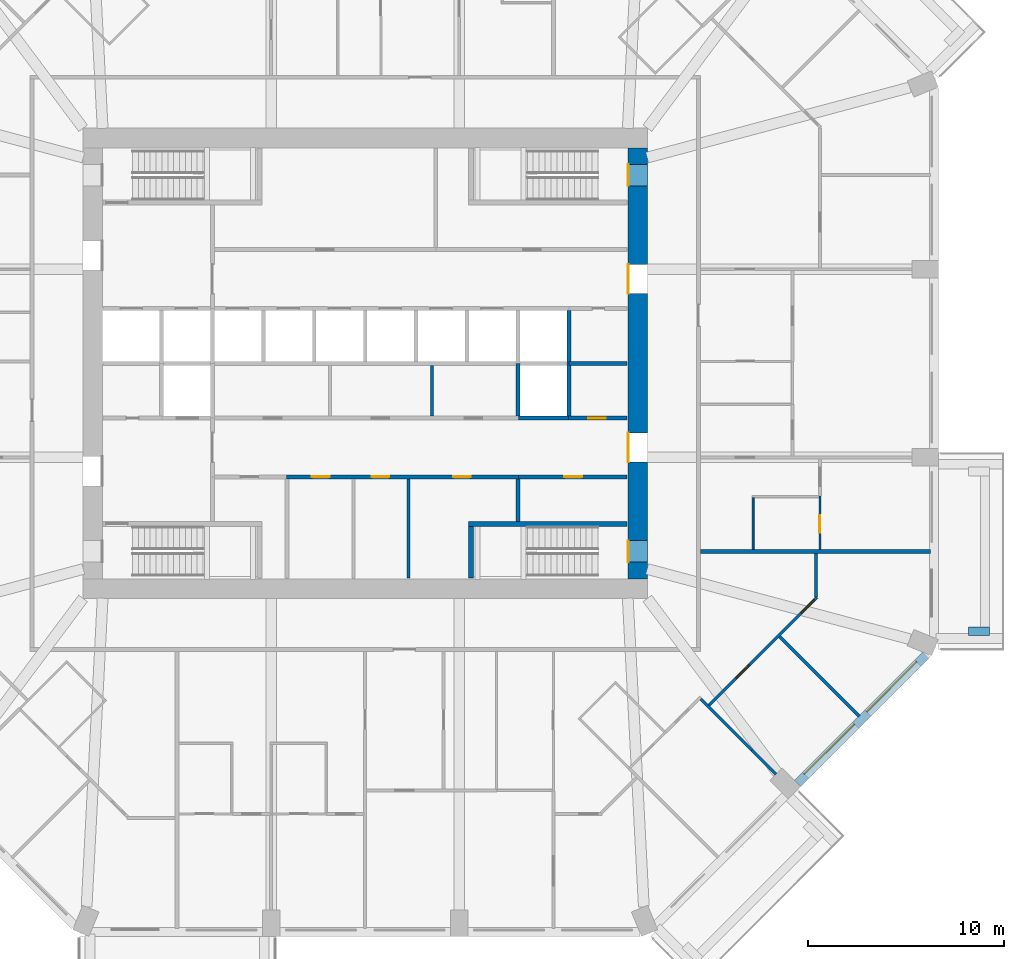
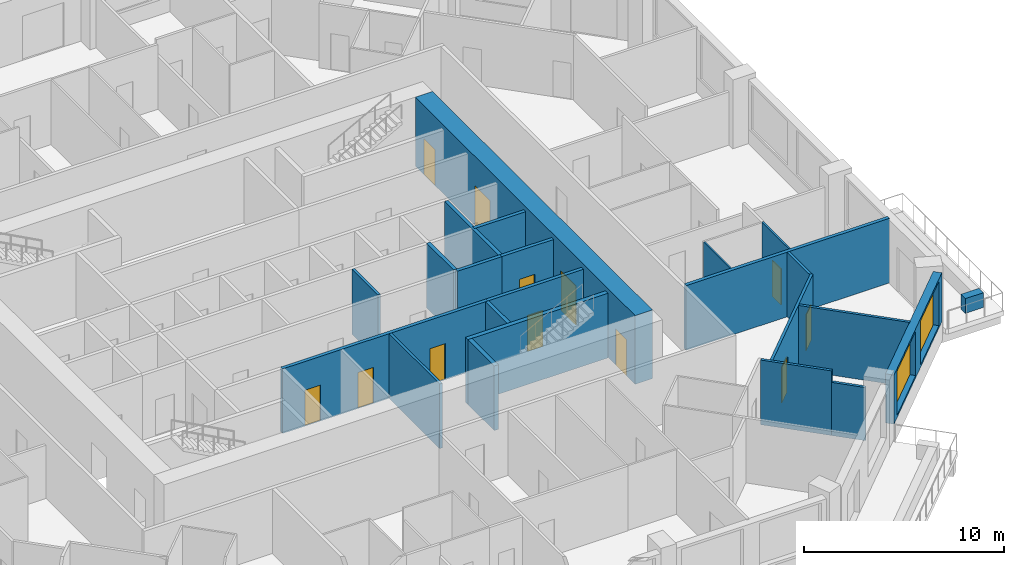
# One storey, part 6 of 13: 23 walls, 12 doors, 2 windows, 14 openings.
"""IFC4 building model written with IfcOpenShell, lengths in metres."""

from ifc_helpers import new_model, si_unit, direction, frame, frame_2d, origin, place, context, subcontext, project, spatial, rectangle, extrude, material, layer, layer_set, type_object, element, fill, save


model = new_model("IFC4")

# Units and contexts
model_context = context("Model", 3, precision=1e-05, world=origin(), true_north=direction((0.0, 1.0)))
body_context = subcontext(model_context, "Body", "Model", "MODEL_VIEW")
ifc_project = project(units=[si_unit("LENGTHUNIT", "METRE"), si_unit("AREAUNIT", "SQUARE_METRE"), si_unit("VOLUMEUNIT", "CUBIC_METRE"), si_unit("PLANEANGLEUNIT", "RADIAN"), si_unit("MASSUNIT", "GRAM", prefix="KILO")], contexts=[model_context])

# Site, building, storey
site_placement = place(None, origin())
site = spatial("IfcSite", under=ifc_project, at=site_placement, CompositionType="ELEMENT")
building_placement = place(site_placement, origin())
building = spatial("IfcBuilding", under=site, at=building_placement, Name="Msitu Wima Residences", CompositionType="ELEMENT")
storey_placement = place(building_placement, frame((0.0, 0.0, 54.89990234375)))
storey = spatial("IfcBuildingStorey", under=building, at=storey_placement, Name="L12", CompositionType="ELEMENT", Elevation=54.89990234375)

# Wall
ifc_material_1 = material(Name="Facing brick")
ifc_layer_1 = layer(ifc_material_1, 0.06494140625, Name="Facing brick")
ifc_material_2 = material(Name="Concrete C40/50", Category="concrete")
ifc_layer_2 = layer(ifc_material_2, 0.156005859375, Name="Concrete C40/50")
ifc_material_3 = material(Name="Waterproofing membrane")
ifc_layer_3 = layer(ifc_material_3, 0.00390625, Name="Waterproofing membrane")
ifc_material_4 = material(Name="Planting soil and planting")
ifc_layer_4 = layer(ifc_material_4, 0.22509765625, Name="Planting soil and planting")
ifc_layer_set_1 = layer_set([ifc_layer_1, ifc_layer_2, ifc_layer_3, ifc_layer_4], Name="Concrete C40/50")
wall_type_1 = type_object("IfcWallType", Name="Balcony planter PLANTER PL450", PredefinedType="USERDEFINED", material=ifc_layer_set_1)
wall_1_placement = place(storey_placement, frame((30.800048828125, -13.675048828125, 0.0), z_axis=(0.0, 0.0, 1.0), x_axis=(1.0, 0.0, 0.0)))
element("IfcWall", 1, at=wall_1_placement, inside=storey, type_object=wall_type_1, Name="Balcony planter E0 L12", ObjectType="PLANTER", PredefinedType="USERDEFINED", context=body_context, shape_type="SweptSolid", body=[
    extrude(rectangle(XDim=1.050048828125, YDim=0.449951171875, at=frame_2d((0.52490234375, 0.0))), origin(), (0.0, 0.0, 1.0), 0.900146484375),
])

# Wall, openings, windows
ifc_material_5 = material(Name="Brick (red buff mix)", Category="masonry")
ifc_layer_5 = layer(ifc_material_5, 0.449951171875)
ifc_layer_set_2 = layer_set([ifc_layer_5], Name="Brick (red buff mix)")
wall_type_2 = type_object("IfcWallType", Name="Brick infill wall BW450", PredefinedType="SOLIDWALL", material=ifc_layer_set_2)
wall_2_placement = place(storey_placement, frame((22.077392578125, -21.44091796875, 0.900146484375), z_axis=(0.0, 0.0, 1.0), x_axis=(0.707106781187, 0.707106781187, 0.0)))
wall_2 = element("IfcWall", 2, at=wall_2_placement, inside=storey, type_object=wall_type_2, Name="Brick infill wall L12 SE1", PredefinedType="SOLIDWALL", context=body_context, shape_type="SweptSolid", body=[
    extrude(rectangle(XDim=9.2451171875, YDim=0.449951171875, at=frame_2d((4.62255859375, 0.0))), origin(), (0.0, 0.0, 1.0), 3.0),
])
opening_1_placement = place(wall_2_placement, frame((0.572509765625, 0.0, 0.14990234375)))
opening_1 = element("IfcOpeningElement", 3, at=opening_1_placement, cuts=wall_2, Name="Opening W11-12.023", PredefinedType="OPENING", context=body_context, shape_type="SweptSolid", body=[
    extrude(rectangle(XDim=3.60009765625, YDim=2.699951171875, at=frame_2d((1.800048828125, 1.35009765625))), frame((0.0, 0.23486328125, 0.0), z_axis=(0.0, -1.0, 0.0), x_axis=(1.0, 0.0, 0.0)), (0.0, 0.0, 1.0), 0.469970703125),
])
opening_2_placement = place(wall_2_placement, frame((5.072509765625, 0.0, 0.14990234375)))
opening_2 = element("IfcOpeningElement", 4, at=opening_2_placement, cuts=wall_2, Name="Opening W11-12.024", PredefinedType="OPENING", context=body_context, shape_type="SweptSolid", body=[
    extrude(rectangle(XDim=3.60009765625, YDim=2.699951171875, at=frame_2d((1.800048828125, 1.35009765625))), frame((0.0, 0.23486328125, 0.0), z_axis=(0.0, -1.0, 0.0), x_axis=(1.0, 0.0, 0.0)), (0.0, 0.0, 1.0), 0.469970703125),
])
ifc_material_6 = material(Name="Anodised aluminium, bronze finish, clear low-emissivity double glazing", Category="aluminium")
window_type = type_object("IfcWindowType", Name="Window W3600x2700", PartitioningType="DOUBLE_PANEL_VERTICAL", PredefinedType="WINDOW", material=ifc_material_6)
window_1_placement = place(opening_1_placement, origin())
window_1 = element("IfcWindow", 5, at=window_1_placement, inside=storey, type_object=window_type, Name="Window L12 SE1.1", OverallHeight=2.699951171875, OverallWidth=3.60009765625, PartitioningType="SINGLE_PANEL", PredefinedType="WINDOW", context=body_context, shape_type="SweptSolid", body=[
    extrude(rectangle(XDim=3.60009765625, YDim=2.699951171875, at=frame_2d((1.800048828125, 1.35009765625))), frame((0.0, 0.135009765625, 0.0), z_axis=(0.0, -1.0, 0.0), x_axis=(1.0, 0.0, 0.0)), (0.0, 0.0, 1.0), 0.06005859375),
])
fill(opening_1, window_1)
window_2_placement = place(opening_2_placement, origin())
window_2 = element("IfcWindow", 6, at=window_2_placement, inside=storey, type_object=window_type, Name="Window L12 SE1.2", OverallHeight=2.699951171875, OverallWidth=3.60009765625, PartitioningType="SINGLE_PANEL", PredefinedType="WINDOW", context=body_context, shape_type="SweptSolid", body=[
    extrude(rectangle(XDim=3.60009765625, YDim=2.699951171875, at=frame_2d((1.800048828125, 1.35009765625))), frame((0.0, 0.135009765625, 0.0), z_axis=(0.0, -1.0, 0.0), x_axis=(1.0, 0.0, 0.0)), (0.0, 0.0, 1.0), 0.06005859375),
])
fill(opening_2, window_2)

# Wall, openings, doors
ifc_material_7 = material(Name="Concrete C80/95", Category="concrete")
ifc_layer_6 = layer(ifc_material_7, 1.0)
ifc_layer_set_3 = layer_set([ifc_layer_6], Name="Concrete C80/95")
wall_type_3 = type_object("IfcWallType", Name="Core wall CW1000 C80/95", PredefinedType="SHEAR", material=ifc_layer_set_3)
wall_3_placement = place(storey_placement, frame((13.89990234375, -11.0, 0.0), z_axis=(0.0, 0.0, 1.0), x_axis=(0.0, 1.0, 0.0)))
wall_3 = element("IfcWall", 7, at=wall_3_placement, inside=storey, type_object=wall_type_3, Name="Core wall", PredefinedType="SHEAR", context=body_context, shape_type="SweptSolid", body=[
    extrude(rectangle(XDim=22.0, YDim=1.0, at=frame_2d((11.0, 0.0))), origin(), (0.0, 0.0, 1.0), 4.2001953125),
])
opening_3_placement = place(wall_3_placement, frame((20.050048828125, 0.0, 0.0)))
opening_3 = element("IfcOpeningElement", 8, at=opening_3_placement, cuts=wall_3, Name="Opening D11-12.035", PredefinedType="OPENING", context=body_context, shape_type="SweptSolid", body=[
    extrude(rectangle(XDim=1.10009765625, YDim=2.199951171875, at=frame_2d((0.550048828125, 1.10009765625))), frame((0.0, 0.510009765625, 0.0), z_axis=(0.0, -1.0, 0.0), x_axis=(1.0, 0.0, 0.0)), (0.0, 0.0, 1.0), 1.02001953125),
])
opening_4_placement = place(wall_3_placement, frame((0.85009765625, 0.0, 0.0)))
opening_4 = element("IfcOpeningElement", 9, at=opening_4_placement, cuts=wall_3, Name="Opening D11-12.036", PredefinedType="OPENING", context=body_context, shape_type="SweptSolid", body=[
    extrude(rectangle(XDim=1.10009765625, YDim=2.199951171875, at=frame_2d((0.550048828125, 1.10009765625))), frame((0.0, 0.510009765625, 0.0), z_axis=(0.0, -1.0, 0.0), x_axis=(1.0, 0.0, 0.0)), (0.0, 0.0, 1.0), 1.02001953125),
])
opening_5_placement = place(wall_3_placement, frame((14.550048828125, 0.0, 0.0)))
opening_5 = element("IfcOpeningElement", 10, at=opening_5_placement, cuts=wall_3, Name="Opening D11-12.024", PredefinedType="OPENING", context=body_context, shape_type="SweptSolid", body=[
    extrude(rectangle(XDim=1.5, YDim=2.39990234375, at=frame_2d((0.75, 1.199951171875))), frame((0.0, 0.510009765625, 0.0), z_axis=(0.0, -1.0, 0.0), x_axis=(1.0, 0.0, 0.0)), (0.0, 0.0, 1.0), 1.02001953125),
])
opening_6_placement = place(wall_3_placement, frame((5.949951171875, 0.0, 0.0)))
opening_6 = element("IfcOpeningElement", 11, at=opening_6_placement, cuts=wall_3, Name="Opening D11-12.025", PredefinedType="OPENING", context=body_context, shape_type="SweptSolid", body=[
    extrude(rectangle(XDim=1.5, YDim=2.39990234375, at=frame_2d((0.75, 1.199951171875))), frame((0.0, 0.510009765625, 0.0), z_axis=(0.0, -1.0, 0.0), x_axis=(1.0, 0.0, 0.0)), (0.0, 0.0, 1.0), 1.02001953125),
])
ifc_material_8 = material(Name="Steel framed glazed door, fire resisting", Category="steel")
door_type_1 = type_object("IfcDoorType", Name="Lobby door D07 1500x2400", OperationType="DOUBLE_DOOR_SINGLE_SWING", PredefinedType="DOOR", material=ifc_material_8)
door_1_placement = place(opening_5_placement, origin())
door_1 = element("IfcDoor", 12, at=door_1_placement, inside=storey, type_object=door_type_1, Name="Lobby door", OperationType="DOUBLE_DOOR_SINGLE_SWING", OverallHeight=2.39990234375, OverallWidth=1.5, PredefinedType="DOOR", context=body_context, shape_type="SweptSolid", body=[
    extrude(rectangle(XDim=1.5, YDim=2.39990234375, at=frame_2d((0.75, 1.199951171875))), frame((0.0, 0.4951171875, 0.0), z_axis=(0.0, -1.0, 0.0), x_axis=(1.0, 0.0, 0.0)), (0.0, 0.0, 1.0), 0.050048828125),
])
fill(opening_5, door_1)
door_2_placement = place(opening_6_placement, origin())
door_2 = element("IfcDoor", 13, at=door_2_placement, inside=storey, type_object=door_type_1, Name="Lobby door", OperationType="DOUBLE_DOOR_SINGLE_SWING", OverallHeight=2.39990234375, OverallWidth=1.5, PredefinedType="DOOR", context=body_context, shape_type="SweptSolid", body=[
    extrude(rectangle(XDim=1.5, YDim=2.39990234375, at=frame_2d((0.75, 1.199951171875))), frame((0.0, 0.4951171875, 0.0), z_axis=(0.0, -1.0, 0.0), x_axis=(1.0, 0.0, 0.0)), (0.0, 0.0, 1.0), 0.050048828125),
])
fill(opening_6, door_2)
ifc_material_9 = material(Name="Steel door, fire resisting, panic bar", Category="steel")
door_type_2 = type_object("IfcDoorType", Name="Stair door D06 1100x2200", OperationType="SINGLE_SWING_LEFT", PredefinedType="DOOR", material=ifc_material_9)
door_3_placement = place(opening_3_placement, origin())
door_3 = element("IfcDoor", 14, at=door_3_placement, inside=storey, type_object=door_type_2, Name="Stair door", OperationType="SINGLE_SWING_LEFT", OverallHeight=2.199951171875, OverallWidth=1.10009765625, PredefinedType="DOOR", context=body_context, shape_type="SweptSolid", body=[
    extrude(rectangle(XDim=1.10009765625, YDim=2.199951171875, at=frame_2d((0.550048828125, 1.10009765625))), frame((0.0, 0.4951171875, 0.0), z_axis=(0.0, -1.0, 0.0), x_axis=(1.0, 0.0, 0.0)), (0.0, 0.0, 1.0), 0.050048828125),
])
fill(opening_3, door_3)
door_4_placement = place(opening_4_placement, origin())
door_4 = element("IfcDoor", 15, at=door_4_placement, inside=storey, type_object=door_type_2, Name="Stair door", OperationType="SINGLE_SWING_RIGHT", OverallHeight=2.199951171875, OverallWidth=1.10009765625, PredefinedType="DOOR", context=body_context, shape_type="SweptSolid", body=[
    extrude(rectangle(XDim=1.10009765625, YDim=2.199951171875, at=frame_2d((0.550048828125, 1.10009765625))), frame((0.0, 0.4951171875, 0.0), z_axis=(0.0, -1.0, 0.0), x_axis=(1.0, 0.0, 0.0)), (0.0, 0.0, 1.0), 0.050048828125),
])
fill(opening_4, door_4)

ifc_material_10 = material(Name="Plaster")
ifc_layer_7 = layer(ifc_material_10, 0.011962890625, Name="Plaster")
ifc_material_11 = material(Name="Concrete blockwork", Category="masonry")
ifc_layer_8 = layer(ifc_material_11, 0.176025390625, Name="Concrete blockwork")
ifc_layer_9 = layer(ifc_material_10, 0.011962890625, Name="Plaster")
ifc_layer_set_4 = layer_set([ifc_layer_7, ifc_layer_8, ifc_layer_9], Name="Concrete blockwork")
wall_type_4 = type_object("IfcWallType", Name="Corridor wall FW200", PredefinedType="PARTITIONING", material=ifc_layer_set_4)
wall_4_placement = place(storey_placement, frame((-4.02001953125, -5.800048828125, 0.0), z_axis=(0.0, 0.0, 1.0), x_axis=(1.0, 0.0, 0.0)))
wall_4 = element("IfcWall", 16, at=wall_4_placement, inside=storey, type_object=wall_type_4, Name="Corridor wall", PredefinedType="PARTITIONING", context=body_context, shape_type="SweptSolid", body=[
    extrude(rectangle(XDim=11.840087890625, YDim=0.199951171875, at=frame_2d((5.919921875, 0.0))), origin(), (0.0, 0.0, 1.0), 3.9501953125),
])
opening_7_placement = place(wall_4_placement, frame((1.300048828125, 0.0, 0.0)))
opening_7 = element("IfcOpeningElement", 17, at=opening_7_placement, cuts=wall_4, Name="Opening D11-12.020", PredefinedType="OPENING", context=body_context, shape_type="SweptSolid", body=[
    extrude(rectangle(XDim=0.89990234375, YDim=2.199951171875, at=frame_2d((0.449951171875, 1.10009765625))), frame((0.0, 0.10986328125, 0.0), z_axis=(0.0, -1.0, 0.0), x_axis=(1.0, 0.0, 0.0)), (0.0, 0.0, 1.0), 0.219970703125),
])
opening_8_placement = place(wall_4_placement, frame((4.35009765625, 0.0, 0.0)))
opening_8 = element("IfcOpeningElement", 18, at=opening_8_placement, cuts=wall_4, Name="Opening D11-12.021", PredefinedType="OPENING", context=body_context, shape_type="SweptSolid", body=[
    extrude(rectangle(XDim=0.89990234375, YDim=2.199951171875, at=frame_2d((0.449951171875, 1.10009765625))), frame((0.0, 0.10986328125, 0.0), z_axis=(0.0, -1.0, 0.0), x_axis=(1.0, 0.0, 0.0)), (0.0, 0.0, 1.0), 0.219970703125),
])
opening_9_placement = place(wall_4_placement, frame((8.5, 0.0, 0.0)))
opening_9 = element("IfcOpeningElement", 19, at=opening_9_placement, cuts=wall_4, Name="Opening D11-12.022", PredefinedType="OPENING", context=body_context, shape_type="SweptSolid", body=[
    extrude(rectangle(XDim=0.89990234375, YDim=2.199951171875, at=frame_2d((0.449951171875, 1.10009765625))), frame((0.0, 0.10986328125, 0.0), z_axis=(0.0, -1.0, 0.0), x_axis=(1.0, 0.0, 0.0)), (0.0, 0.0, 1.0), 0.219970703125),
])
ifc_material_12 = material(Name="Timber flush door", Category="wood")
door_type_3 = type_object("IfcDoorType", Name="Service door D05 900x2200", OperationType="SINGLE_SWING_LEFT", PredefinedType="DOOR", material=ifc_material_12)
door_5_placement = place(opening_7_placement, origin())
door_5 = element("IfcDoor", 20, at=door_5_placement, inside=storey, type_object=door_type_3, Name="Service door", OperationType="SINGLE_SWING_LEFT", OverallHeight=2.199951171875, OverallWidth=0.89990234375, PredefinedType="DOOR", context=body_context, shape_type="SweptSolid", body=[
    extrude(rectangle(XDim=0.89990234375, YDim=2.199951171875, at=frame_2d((0.449951171875, 1.10009765625))), frame((0.0, 0.02490234375, 0.0), z_axis=(0.0, -1.0, 0.0), x_axis=(1.0, 0.0, 0.0)), (0.0, 0.0, 1.0), 0.050048828125),
])
fill(opening_7, door_5)
door_6_placement = place(opening_8_placement, origin())
door_6 = element("IfcDoor", 21, at=door_6_placement, inside=storey, type_object=door_type_3, Name="Service door", OperationType="SINGLE_SWING_RIGHT", OverallHeight=2.199951171875, OverallWidth=0.89990234375, PredefinedType="DOOR", context=body_context, shape_type="SweptSolid", body=[
    extrude(rectangle(XDim=0.89990234375, YDim=2.199951171875, at=frame_2d((0.449951171875, 1.10009765625))), frame((0.0, 0.02490234375, 0.0), z_axis=(0.0, -1.0, 0.0), x_axis=(1.0, 0.0, 0.0)), (0.0, 0.0, 1.0), 0.050048828125),
])
fill(opening_8, door_6)
door_7_placement = place(opening_9_placement, origin())
door_7 = element("IfcDoor", 22, at=door_7_placement, inside=storey, type_object=door_type_3, Name="Service door", OperationType="SINGLE_SWING_RIGHT", OverallHeight=2.199951171875, OverallWidth=0.89990234375, PredefinedType="DOOR", context=body_context, shape_type="SweptSolid", body=[
    extrude(rectangle(XDim=0.89990234375, YDim=2.199951171875, at=frame_2d((0.449951171875, 1.10009765625))), frame((0.0, 0.02490234375, 0.0), z_axis=(0.0, -1.0, 0.0), x_axis=(1.0, 0.0, 0.0)), (0.0, 0.0, 1.0), 0.050048828125),
])
fill(opening_9, door_7)

# Walls
ifc_layer_10 = layer(ifc_material_10, 0.011962890625, Name="Plaster")
ifc_layer_11 = layer(ifc_material_11, 0.1259765625, Name="Concrete blockwork")
ifc_layer_12 = layer(ifc_material_10, 0.011962890625, Name="Plaster")
ifc_layer_set_5 = layer_set([ifc_layer_10, ifc_layer_11, ifc_layer_12], Name="Concrete blockwork")
wall_type_5 = type_object("IfcWallType", Name="Partition PW150", PredefinedType="PARTITIONING", material=ifc_layer_set_5)
wall_5_placement = place(storey_placement, frame((2.199951171875, -10.969970703125, 0.0), z_axis=(0.0, 0.0, 1.0), x_axis=(0.0, 1.0, 0.0)))
element("IfcWall", 23, at=wall_5_placement, inside=storey, type_object=wall_type_5, Name="Partition", PredefinedType="PARTITIONING", context=body_context, shape_type="SweptSolid", body=[
    extrude(rectangle(XDim=5.070068359375, YDim=0.14990234375, at=frame_2d((2.53515625, 0.0))), origin(), (0.0, 0.0, 1.0), 3.9501953125),
])
wall_6_placement = place(storey_placement, frame((3.39990234375, -2.699951171875, 0.0), z_axis=(0.0, 0.0, 1.0), x_axis=(0.0, 1.0, 0.0)))
element("IfcWall", 24, at=wall_6_placement, inside=storey, type_object=wall_type_5, Name="Partition", PredefinedType="PARTITIONING", context=body_context, shape_type="SweptSolid", body=[
    extrude(rectangle(XDim=2.599853515625, YDim=0.14990234375, at=frame_2d((1.2998046875, 0.0))), origin(), (0.0, 0.0, 1.0), 3.9501953125),
])
wall_7_placement = place(storey_placement, frame((17.12744140625, -17.12744140625, 0.0), z_axis=(0.0, 0.0, 1.0), x_axis=(0.707106781187, -0.707106781187, 0.0)))
element("IfcWall", 25, at=wall_7_placement, inside=storey, type_object=wall_type_5, Name="Partition", PredefinedType="PARTITIONING", context=body_context, shape_type="SweptSolid", body=[
    extrude(rectangle(XDim=3.6767578125, YDim=0.14990234375, at=frame_2d((1.83837890625, 0.0))), origin(), (0.0, 0.0, 1.0), 3.9501953125),
])
wall_8_placement = place(storey_placement, frame((19.727294921875, -19.727294921875, 0.0), z_axis=(0.0, 0.0, 1.0), x_axis=(0.707106781187, -0.707106781187, 0.0)))
element("IfcWall", 26, at=wall_8_placement, inside=storey, type_object=wall_type_5, Name="Partition", PredefinedType="PARTITIONING", context=body_context, shape_type="SweptSolid", body=[
    extrude(rectangle(XDim=1.74853515625, YDim=0.14990234375, at=frame_2d((0.874267578125, 0.0))), origin(), (0.0, 0.0, 1.0), 3.25),
])

# Wall, openings, doors
wall_9_placement = place(storey_placement, frame((17.5517578125, -17.44580078125, 0.0), z_axis=(0.0, 0.0, 1.0), x_axis=(0.707106781187, 0.707106781187, 0.0)))
wall_9 = element("IfcWall", 27, at=wall_9_placement, inside=storey, type_object=wall_type_5, Name="Partition", PredefinedType="PARTITIONING", context=body_context, shape_type="SweptSolid", body=[
    extrude(rectangle(XDim=7.77978515625, YDim=0.14990234375, at=frame_2d((3.889892578125, 0.0))), origin(), (0.0, 0.0, 1.0), 3.9501953125),
])
opening_10_placement = place(wall_9_placement, frame((1.949951171875, 0.0, 0.0)))
opening_10 = element("IfcOpeningElement", 28, at=opening_10_placement, cuts=wall_9, Name="Opening D11-12.082", PredefinedType="OPENING", context=body_context, shape_type="SweptSolid", body=[
    extrude(rectangle(XDim=0.949951171875, YDim=2.199951171875, at=frame_2d((0.47509765625, 1.10009765625))), frame((0.0, 0.0849609375, 0.0), z_axis=(0.0, -1.0, 0.0), x_axis=(1.0, 0.0, 0.0)), (0.0, 0.0, 1.0), 0.169921875),
])
opening_11_placement = place(wall_9_placement, frame((6.64990234375, 0.0, 0.0)))
opening_11 = element("IfcOpeningElement", 29, at=opening_11_placement, cuts=wall_9, Name="Opening D11-12.086", PredefinedType="OPENING", context=body_context, shape_type="SweptSolid", body=[
    extrude(rectangle(XDim=0.949951171875, YDim=2.199951171875, at=frame_2d((0.47509765625, 1.10009765625))), frame((0.0, 0.0849609375, 0.0), z_axis=(0.0, -1.0, 0.0), x_axis=(1.0, 0.0, 0.0)), (0.0, 0.0, 1.0), 0.169921875),
])
door_type_4 = type_object("IfcDoorType", Name="Room door D12 950x2200", OperationType="SINGLE_SWING_LEFT", PredefinedType="DOOR", material=ifc_material_12)
door_8_placement = place(opening_10_placement, origin())
door_8 = element("IfcDoor", 30, at=door_8_placement, inside=storey, type_object=door_type_4, Name="Room door", OperationType="SINGLE_SWING_RIGHT", OverallHeight=2.199951171875, OverallWidth=0.949951171875, PredefinedType="DOOR", context=body_context, shape_type="SweptSolid", body=[
    extrude(rectangle(XDim=0.949951171875, YDim=2.199951171875, at=frame_2d((0.47509765625, 1.10009765625))), frame((0.0, 0.02490234375, 0.0), z_axis=(0.0, -1.0, 0.0), x_axis=(1.0, 0.0, 0.0)), (0.0, 0.0, 1.0), 0.050048828125),
])
fill(opening_10, door_8)
door_9_placement = place(opening_11_placement, origin())
door_9 = element("IfcDoor", 31, at=door_9_placement, inside=storey, type_object=door_type_4, Name="Room door", OperationType="SINGLE_SWING_RIGHT", OverallHeight=2.199951171875, OverallWidth=0.949951171875, PredefinedType="DOOR", context=body_context, shape_type="SweptSolid", body=[
    extrude(rectangle(XDim=0.949951171875, YDim=2.199951171875, at=frame_2d((0.47509765625, 1.10009765625))), frame((0.0, 0.02490234375, 0.0), z_axis=(0.0, -1.0, 0.0), x_axis=(1.0, 0.0, 0.0)), (0.0, 0.0, 1.0), 0.050048828125),
])
fill(opening_11, door_9)

# Walls
wall_10_placement = place(storey_placement, frame((21.15185546875, -13.951904296875, 0.0), z_axis=(0.0, 0.0, 1.0), x_axis=(0.707128010843, -0.707085550893, 0.0)))
element("IfcWall", 32, at=wall_10_placement, inside=storey, type_object=wall_type_5, Name="Partition", PredefinedType="PARTITIONING", context=body_context, shape_type="SweptSolid", body=[
    extrude(rectangle(XDim=5.75, YDim=0.14990234375, at=frame_2d((2.875, 0.0))), origin(), (0.0, 0.0, 1.0), 3.9501953125),
])
wall_11_placement = place(storey_placement, frame((23.0, -11.922607421875, 0.0), z_axis=(0.0, 0.0, 1.0), x_axis=(0.0, 1.0, 0.0)))
element("IfcWall", 33, at=wall_11_placement, inside=storey, type_object=wall_type_5, Name="Partition", PredefinedType="PARTITIONING", context=body_context, shape_type="SweptSolid", body=[
    extrude(rectangle(XDim=2.22265625, YDim=0.14990234375, at=frame_2d((1.111328125, 0.0))), origin(), (0.0, 0.0, 1.0), 3.9501953125),
])
ifc_layer_13 = layer(ifc_material_10, 0.011962890625, Name="Plaster")
ifc_material_13 = material(Name="Dense concrete blockwork", Category="masonry")
ifc_layer_14 = layer(ifc_material_13, 0.176025390625, Name="Dense concrete blockwork")
ifc_layer_15 = layer(ifc_material_10, 0.011962890625, Name="Plaster")
ifc_layer_set_6 = layer_set([ifc_layer_13, ifc_layer_14, ifc_layer_15], Name="Dense concrete blockwork")
wall_type_6 = type_object("IfcWallType", Name="Party wall PW200", PredefinedType="PARTITIONING", material=ifc_layer_set_6)
wall_12_placement = place(storey_placement, frame((17.10009765625, -9.60009765625, 0.0), z_axis=(0.0, 0.0, 1.0), x_axis=(1.0, 0.0, 0.0)))
element("IfcWall", 34, at=wall_12_placement, inside=storey, type_object=wall_type_6, Name="Party wall", PredefinedType="PARTITIONING", context=body_context, shape_type="SweptSolid", body=[
    extrude(rectangle(XDim=11.7548828125, YDim=0.199951171875, at=frame_2d((5.87744140625, 0.0))), origin(), (0.0, 0.0, 1.0), 3.9501953125),
])

# Wall, opening, door
ifc_layer_16 = layer(ifc_material_10, 0.011962890625, Name="Plaster")
ifc_material_14 = material(Name="Reinforced concrete blockwork", Category="masonry")
ifc_layer_17 = layer(ifc_material_14, 0.176025390625, Name="Reinforced concrete blockwork")
ifc_layer_18 = layer(ifc_material_10, 0.011962890625, Name="Plaster")
ifc_layer_set_7 = layer_set([ifc_layer_16, ifc_layer_17, ifc_layer_18], Name="Reinforced concrete blockwork")
wall_type_7 = type_object("IfcWallType", Name="Plant and riser wall PL200", PredefinedType="PARTITIONING", material=ifc_layer_set_7)
wall_13_placement = place(storey_placement, frame((7.820068359375, -5.800048828125, 0.0), z_axis=(0.0, 0.0, 1.0), x_axis=(1.0, 0.0, 0.0)))
wall_13 = element("IfcWall", 35, at=wall_13_placement, inside=storey, type_object=wall_type_7, Name="Plant and riser wall", PredefinedType="PARTITIONING", context=body_context, shape_type="SweptSolid", body=[
    extrude(rectangle(XDim=5.550048828125, YDim=0.199951171875, at=frame_2d((2.77490234375, 0.0))), origin(), (0.0, 0.0, 1.0), 3.9501953125),
])
opening_12_placement = place(wall_13_placement, frame((2.35009765625, 0.0, 0.0)))
opening_12 = element("IfcOpeningElement", 36, at=opening_12_placement, cuts=wall_13, Name="Opening D11-12.023", PredefinedType="OPENING", context=body_context, shape_type="SweptSolid", body=[
    extrude(rectangle(XDim=0.89990234375, YDim=2.199951171875, at=frame_2d((0.449951171875, 1.10009765625))), frame((0.0, 0.10986328125, 0.0), z_axis=(0.0, -1.0, 0.0), x_axis=(1.0, 0.0, 0.0)), (0.0, 0.0, 1.0), 0.219970703125),
])
door_10_placement = place(opening_12_placement, origin())
door_10 = element("IfcDoor", 37, at=door_10_placement, inside=storey, type_object=door_type_3, Name="Service door", OperationType="SINGLE_SWING_RIGHT", OverallHeight=2.199951171875, OverallWidth=0.89990234375, PredefinedType="DOOR", context=body_context, shape_type="SweptSolid", body=[
    extrude(rectangle(XDim=0.89990234375, YDim=2.199951171875, at=frame_2d((0.449951171875, 1.10009765625))), frame((0.0, 0.02490234375, 0.0), z_axis=(0.0, -1.0, 0.0), x_axis=(1.0, 0.0, 0.0)), (0.0, 0.0, 1.0), 0.050048828125),
])
fill(opening_12, door_10)

# Wall
wall_14_placement = place(storey_placement, frame((7.800048828125, -8.074951171875, 0.0), z_axis=(0.0, 0.0, 1.0), x_axis=(0.0, 1.0, 0.0)))
element("IfcWall", 38, at=wall_14_placement, inside=storey, type_object=wall_type_7, Name="Plant and riser wall", PredefinedType="PARTITIONING", context=body_context, shape_type="SweptSolid", body=[
    extrude(rectangle(XDim=2.175048828125, YDim=0.199951171875, at=frame_2d((1.08740234375, 0.0))), origin(), (0.0, 0.0, 1.0), 3.9501953125),
])

# Wall, opening, door
wall_15_placement = place(storey_placement, frame((10.3798828125, -2.800048828125, 0.0), z_axis=(0.0, 0.0, 1.0), x_axis=(1.0, 0.0, 0.0)))
wall_15 = element("IfcWall", 39, at=wall_15_placement, inside=storey, type_object=wall_type_7, Name="Plant and riser wall", PredefinedType="PARTITIONING", context=body_context, shape_type="SweptSolid", body=[
    extrude(rectangle(XDim=2.990234375, YDim=0.199951171875, at=frame_2d((1.4951171875, 0.0))), origin(), (0.0, 0.0, 1.0), 3.9501953125),
])
opening_13_placement = place(wall_15_placement, frame((1.0, 0.0, 0.0)))
opening_13 = element("IfcOpeningElement", 40, at=opening_13_placement, cuts=wall_15, Name="Opening D11-12.012", PredefinedType="OPENING", context=body_context, shape_type="SweptSolid", body=[
    extrude(rectangle(XDim=0.89990234375, YDim=2.199951171875, at=frame_2d((0.449951171875, 1.10009765625))), frame((0.0, 0.10986328125, 0.0), z_axis=(0.0, -1.0, 0.0), x_axis=(1.0, 0.0, 0.0)), (0.0, 0.0, 1.0), 0.219970703125),
])
door_11_placement = place(opening_13_placement, origin())
door_11 = element("IfcDoor", 41, at=door_11_placement, inside=storey, type_object=door_type_3, Name="Service door", OperationType="SINGLE_SWING_LEFT", OverallHeight=2.199951171875, OverallWidth=0.89990234375, PredefinedType="DOOR", context=body_context, shape_type="SweptSolid", body=[
    extrude(rectangle(XDim=0.89990234375, YDim=2.199951171875, at=frame_2d((0.449951171875, 1.10009765625))), frame((0.0, 0.02490234375, 0.0), z_axis=(0.0, -1.0, 0.0), x_axis=(1.0, 0.0, 0.0)), (0.0, 0.0, 1.0), 0.050048828125),
])
fill(opening_13, door_11)

# Walls
wall_16_placement = place(storey_placement, frame((10.39990234375, 0.0, 0.0), z_axis=(0.0, 0.0, 1.0), x_axis=(1.0, 0.0, 0.0)))
element("IfcWall", 42, at=wall_16_placement, inside=storey, type_object=wall_type_7, Name="Plant and riser wall", PredefinedType="PARTITIONING", context=body_context, shape_type="SweptSolid", body=[
    extrude(rectangle(XDim=2.97021484375, YDim=0.199951171875, at=frame_2d((1.485107421875, 0.0))), origin(), (0.0, 0.0, 1.0), 3.9501953125),
])
ifc_material_15 = material(Name="Fire-rated board")
ifc_layer_19 = layer(ifc_material_15, 0.02490234375, Name="Fire-rated board")
ifc_material_16 = material(Name="Light-gauge stud framing with mineral wool")
ifc_layer_20 = layer(ifc_material_16, 0.14990234375, Name="Light-gauge stud framing with mineral wool")
ifc_layer_21 = layer(ifc_material_15, 0.02490234375, Name="Fire-rated board")
ifc_layer_set_8 = layer_set([ifc_layer_19, ifc_layer_20, ifc_layer_21], Name="Light-gauge stud framing with mineral wool")
wall_type_8 = type_object("IfcWallType", Name="Shaft wall SH200", PredefinedType="PARTITIONING", material=ifc_layer_set_8)
wall_17_placement = place(storey_placement, frame((7.800048828125, -2.699951171875, 0.0), z_axis=(0.0, 0.0, 1.0), x_axis=(0.0, 1.0, 0.0)))
element("IfcWall", 43, at=wall_17_placement, inside=storey, type_object=wall_type_8, Name="Shaft wall", PredefinedType="PARTITIONING", context=body_context, shape_type="SweptSolid", body=[
    extrude(rectangle(XDim=2.699951171875, YDim=0.199951171875, at=frame_2d((1.35009765625, 0.0))), origin(), (0.0, 0.0, 1.0), 3.9501953125),
])
wall_18_placement = place(storey_placement, frame((7.820068359375, -2.800048828125, 0.0), z_axis=(0.0, 0.0, 1.0), x_axis=(1.0, 0.0, 0.0)))
element("IfcWall", 44, at=wall_18_placement, inside=storey, type_object=wall_type_8, Name="Shaft wall", PredefinedType="PARTITIONING", context=body_context, shape_type="SweptSolid", body=[
    extrude(rectangle(XDim=2.559814453125, YDim=0.199951171875, at=frame_2d((1.27978515625, 0.0))), origin(), (0.0, 0.0, 1.0), 3.9501953125),
])
wall_19_placement = place(storey_placement, frame((10.39990234375, -2.699951171875, 0.0), z_axis=(0.0, 0.0, 1.0), x_axis=(0.0, 1.0, 0.0)))
element("IfcWall", 45, at=wall_19_placement, inside=storey, type_object=wall_type_8, Name="Shaft wall", PredefinedType="PARTITIONING", context=body_context, shape_type="SweptSolid", body=[
    extrude(rectangle(XDim=5.39990234375, YDim=0.199951171875, at=frame_2d((2.699951171875, 0.0))), origin(), (0.0, 0.0, 1.0), 3.9501953125),
])
ifc_material_17 = material(Name="Concrete C50/60", Category="concrete")
ifc_layer_22 = layer(ifc_material_17, 0.25)
ifc_layer_set_9 = layer_set([ifc_layer_22], Name="Concrete C50/60")
wall_type_9 = type_object("IfcWallType", Name="Stair enclosure wall SW250", PredefinedType="SHEAR", material=ifc_layer_set_9)
wall_20_placement = place(storey_placement, frame((5.39990234375, -10.969970703125, 0.0), z_axis=(0.0, 0.0, 1.0), x_axis=(0.0, 1.0, 0.0)))
element("IfcWall", 46, at=wall_20_placement, inside=storey, type_object=wall_type_9, Name="Stair enclosure wall", PredefinedType="SHEAR", context=body_context, shape_type="SweptSolid", body=[
    extrude(rectangle(XDim=2.64501953125, YDim=0.25, at=frame_2d((1.322509765625, 0.0))), origin(), (0.0, 0.0, 1.0), 3.9501953125),
])
wall_21_placement = place(storey_placement, frame((5.27490234375, -8.199951171875, 0.0), z_axis=(0.0, 0.0, 1.0), x_axis=(1.0, 0.0, 0.0)))
element("IfcWall", 47, at=wall_21_placement, inside=storey, type_object=wall_type_9, Name="Stair enclosure wall", PredefinedType="SHEAR", context=body_context, shape_type="SweptSolid", body=[
    extrude(rectangle(XDim=8.09521484375, YDim=0.25, at=frame_2d((4.047607421875, 0.0))), origin(), (0.0, 0.0, 1.0), 3.9501953125),
])
ifc_material_18 = material(Name="Ceramic tiles")
ifc_layer_23 = layer(ifc_material_18, 0.008056640625, Name="Ceramic tiles")
ifc_material_19 = material(Name="Moisture-resistant board")
ifc_layer_24 = layer(ifc_material_19, 0.012451171875, Name="Moisture-resistant board")
ifc_layer_25 = layer(ifc_material_16, 0.06689453125, Name="Light-gauge stud framing with mineral wool")
ifc_layer_26 = layer(ifc_material_19, 0.012451171875, Name="Moisture-resistant board")
ifc_layer_set_10 = layer_set([ifc_layer_23, ifc_layer_24, ifc_layer_25, ifc_layer_26], Name="Light-gauge stud framing with mineral wool")
wall_type_10 = type_object("IfcWallType", Name="Wet wall PW100", PredefinedType="PARTITIONING", material=ifc_layer_set_10)
wall_22_placement = place(storey_placement, frame((19.800048828125, -9.5, 0.0), z_axis=(0.0, 0.0, 1.0), x_axis=(0.0, 1.0, 0.0)))
element("IfcWall", 48, at=wall_22_placement, inside=storey, type_object=wall_type_10, Name="Wet wall", PredefinedType="PARTITIONING", context=body_context, shape_type="SweptSolid", body=[
    extrude(rectangle(XDim=2.64990234375, YDim=0.10009765625, at=frame_2d((1.324951171875, 0.0))), origin(), (0.0, 0.0, 1.0), 3.9501953125),
])

# Wall, opening, door
wall_23_placement = place(storey_placement, frame((23.199951171875, -9.5, 0.0), z_axis=(0.0, 0.0, 1.0), x_axis=(0.0, 1.0, 0.0)))
wall_23 = element("IfcWall", 49, at=wall_23_placement, inside=storey, type_object=wall_type_10, Name="Wet wall", PredefinedType="PARTITIONING", context=body_context, shape_type="SweptSolid", body=[
    extrude(rectangle(XDim=2.719970703125, YDim=0.10009765625, at=frame_2d((1.35986328125, 0.0))), origin(), (0.0, 0.0, 1.0), 3.9501953125),
])
opening_14_placement = place(wall_23_placement, frame((0.85009765625, 0.0, 0.0)))
opening_14 = element("IfcOpeningElement", 50, at=opening_14_placement, cuts=wall_23, Name="Opening D11-12.041", PredefinedType="OPENING", context=body_context, shape_type="SweptSolid", body=[
    extrude(rectangle(XDim=0.89990234375, YDim=2.199951171875, at=frame_2d((0.449951171875, 1.10009765625))), frame((0.0, 0.06005859375, 0.0), z_axis=(0.0, -1.0, 0.0), x_axis=(1.0, 0.0, 0.0)), (0.0, 0.0, 1.0), 0.1201171875),
])
ifc_material_20 = material(Name="Timber flush door, moisture resistant", Category="wood")
door_type_5 = type_object("IfcDoorType", Name="Bathroom door D03 900x2200", OperationType="SINGLE_SWING_LEFT", PredefinedType="DOOR", material=ifc_material_20)
door_12_placement = place(opening_14_placement, origin())
door_12 = element("IfcDoor", 51, at=door_12_placement, inside=storey, type_object=door_type_5, Name="Bathroom door", OperationType="SINGLE_SWING_LEFT", OverallHeight=2.199951171875, OverallWidth=0.89990234375, PredefinedType="DOOR", context=body_context, shape_type="SweptSolid", body=[
    extrude(rectangle(XDim=0.89990234375, YDim=2.199951171875, at=frame_2d((0.449951171875, 1.10009765625))), frame((0.0, 0.02490234375, 0.0), z_axis=(0.0, -1.0, 0.0), x_axis=(1.0, 0.0, 0.0)), (0.0, 0.0, 1.0), 0.050048828125),
])
fill(opening_14, door_12)

save(model, "model.ifc")
